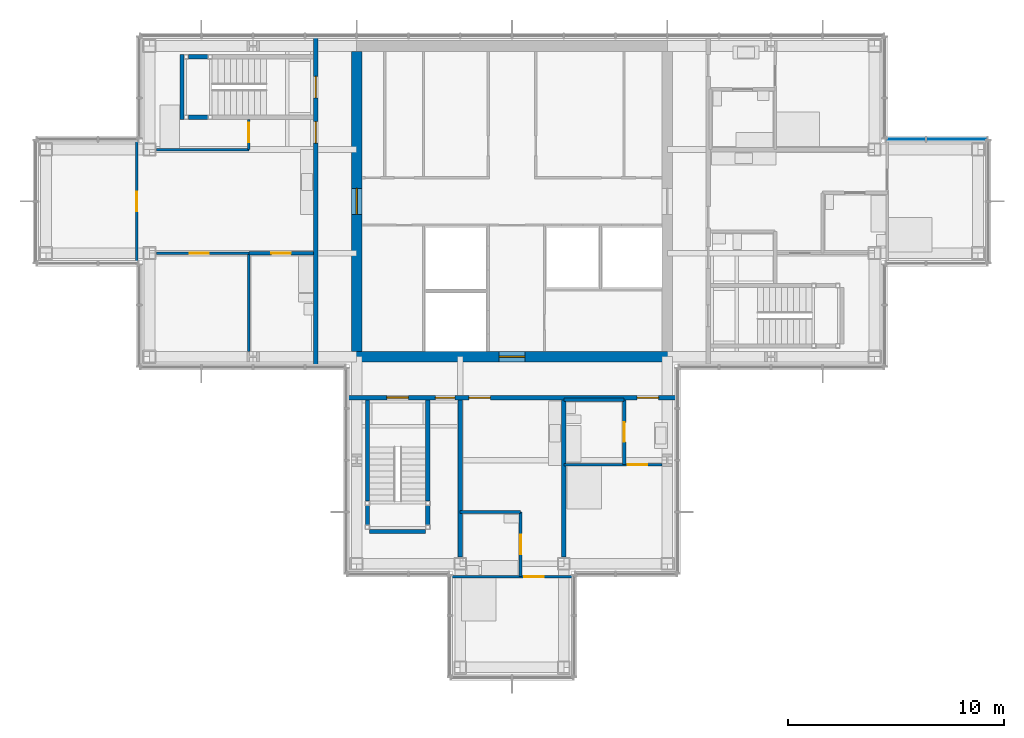
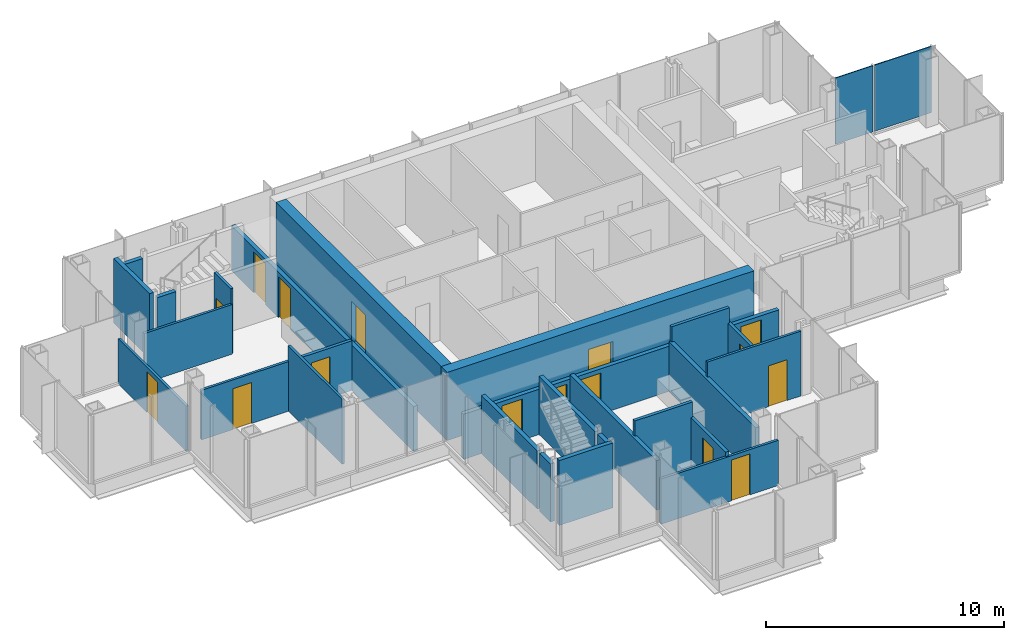
# One storey, part 10 of 15: 26 walls, 16 doors, 2 plates, 16 openings, 1 element without a shape of its own.
"""IFC4 building model written with IfcOpenShell, lengths in metres."""

from ifc_helpers import new_model, si_unit, direction, frame, frame_2d, origin, origin_2d, place, context, subcontext, project, spatial, rectangle, extrude, material, layer, layer_set, type_object, element, fill, aggregate, save


model = new_model("IFC4")

# Units and contexts
model_context = context("Model", 3, precision=1e-05, world=origin(), true_north=direction((0.0, 1.0)))
body_context = subcontext(model_context, "Body", "Model", "MODEL_VIEW")
ifc_project = project(units=[si_unit("LENGTHUNIT", "METRE"), si_unit("AREAUNIT", "SQUARE_METRE"), si_unit("VOLUMEUNIT", "CUBIC_METRE"), si_unit("PLANEANGLEUNIT", "RADIAN"), si_unit("MASSUNIT", "GRAM", prefix="KILO")], contexts=[model_context])

# Site, building, storey
site_placement = place(None, origin())
site = spatial("IfcSite", under=ifc_project, at=site_placement, CompositionType="ELEMENT")
building_placement = place(site_placement, origin())
building = spatial("IfcBuilding", under=site, at=building_placement, Name="Kvirike Care Tower", CompositionType="ELEMENT")
storey_placement = place(building_placement, frame((0.0, 0.0, 219.0)))
storey = spatial("IfcBuildingStorey", under=building, at=storey_placement, Name="L60", CompositionType="ELEMENT", Elevation=219.0)

# Curtain wall, plates
ifc_material_1 = material(Name="Anodised aluminium stick system", Category="aluminium")
curtain_wall_type = type_object("IfcCurtainWallType", Name="CW-D STICK CURTAIN WALL", PredefinedType="NOTDEFINED", material=ifc_material_1)
curtain_wall_placement = place(storey_placement, origin())
curtain_wall = element("IfcCurtainWall", 1, at=curtain_wall_placement, inside=storey, type_object=curtain_wall_type, Name="Curtain wall L60 face 5", PredefinedType="NOTDEFINED")
ifc_material_2 = material(Name="Tinted double glazed unit", Category="glass")
ifc_layer_1 = layer(ifc_material_2, 0.0439453125)
ifc_layer_set_1 = layer_set([ifc_layer_1], Name="TINTED VISION PANEL 44")
plate_type = type_object("IfcPlateType", Name="TINTED VISION PANEL 44", PredefinedType="CURTAIN_PANEL", material=ifc_layer_set_1)
plate_1_placement = place(storey_placement, frame((42.2236328125, 38.8798828125, 0.10009765625), z_axis=(0.0, 0.0, 1.0), x_axis=(-1.0, 0.0, 0.0)))
plate_1 = element("IfcPlate", 2, at=plate_1_placement, type_object=plate_type, Name="CW-D panel L60 face 5.1", PredefinedType="CURTAIN_PANEL", context=body_context, shape_type="SweptSolid", body=[
    extrude(rectangle(XDim=2.782470703125, YDim=0.0439453125, at=origin_2d()), origin(), (0.0, 0.0, 1.0), 3.39990234375),
])
plate_2_placement = place(storey_placement, frame((39.856201171875, 38.8798828125, 0.10009765625), z_axis=(0.0, 0.0, 1.0), x_axis=(-1.0, 0.0, 0.0)))
plate_2 = element("IfcPlate", 3, at=plate_2_placement, type_object=plate_type, Name="CW-D panel L60 face 5.2", PredefinedType="CURTAIN_PANEL", context=body_context, shape_type="SweptSolid", body=[
    extrude(rectangle(XDim=1.822509765625, YDim=0.0439453125, at=origin_2d()), origin(), (0.0, 0.0, 1.0), 3.39990234375),
])
aggregate(curtain_wall, [plate_1, plate_2])

# Wall, opening, door
ifc_material_3 = material(Name="Moisture-resistant board partition", Category="gypsum")
ifc_layer_2 = layer(ifc_material_3, 0.14990234375)
ifc_layer_set_2 = layer_set([ifc_layer_2], Name="BATHROOM WALL 150")
wall_type_1 = type_object("IfcWallType", Name="BATHROOM WALL 150", PredefinedType="PARTITIONING", material=ifc_layer_set_2)
wall_1_placement = place(storey_placement, frame((9.39990234375, 33.60009765625, 0.0), z_axis=(0.0, 0.0, 1.0), x_axis=(1.0, 0.0, 0.0)))
wall_1 = element("IfcWall", 4, at=wall_1_placement, inside=storey, type_object=wall_type_1, Name="Bathroom Wall 150 L60", PredefinedType="PARTITIONING", context=body_context, shape_type="SweptSolid", body=[
    extrude(rectangle(XDim=3.0, YDim=0.14990234375, at=frame_2d((1.5, 0.0))), origin(), (0.0, 0.0, 1.0), 2.550048828125),
])
opening_1_placement = place(wall_1_placement, frame((1.050048828125, 0.0, 0.0)))
opening_1 = element("IfcOpeningElement", 5, at=opening_1_placement, cuts=wall_1, Name="Opening 60-001", PredefinedType="OPENING", context=body_context, shape_type="SweptSolid", body=[
    extrude(rectangle(XDim=0.89990234375, YDim=2.10009765625, at=frame_2d((0.449951171875, 1.050048828125))), frame((0.0, 0.08544921875, 0.0), z_axis=(0.0, -1.0, 0.0), x_axis=(1.0, 0.0, 0.0)), (0.0, 0.0, 1.0), 0.1708984375),
])
ifc_material_4 = material(Name="Timber door set", Category="wood")
door_type_1 = type_object("IfcDoorType", Name="BATHROOM DOOR 900", OperationType="SINGLE_SWING_RIGHT", PredefinedType="DOOR", material=ifc_material_4)
door_1_placement = place(opening_1_placement, frame((0.89990234375, 0.0, 0.0), z_axis=(0.0, 0.0, 1.0), x_axis=(-1.0, 0.0, 0.0)))
door_1 = element("IfcDoor", 6, at=door_1_placement, inside=storey, type_object=door_type_1, Name="Bathroom door", OperationType="SINGLE_SWING_RIGHT", OverallHeight=2.10009765625, OverallWidth=0.89990234375, PredefinedType="DOOR", context=body_context, shape_type="SweptSolid", body=[
    extrude(rectangle(XDim=0.89990234375, YDim=2.10009765625, at=frame_2d((0.449951171875, 1.050048828125))), frame((0.0, 0.02197265625, 0.0), z_axis=(0.0, -1.0, 0.0), x_axis=(1.0, 0.0, 0.0)), (0.0, 0.0, 1.0), 0.0439453125),
])
fill(opening_1, door_1)

wall_2_placement = place(storey_placement, frame((22.0, 18.60009765625, 0.0), z_axis=(0.0, 0.0, 1.0), x_axis=(0.0, 1.0, 0.0)))
wall_2 = element("IfcWall", 7, at=wall_2_placement, inside=storey, type_object=wall_type_1, Name="Bathroom Wall 150 L60", PredefinedType="PARTITIONING", context=body_context, shape_type="SweptSolid", body=[
    extrude(rectangle(XDim=3.0, YDim=0.14990234375, at=frame_2d((1.5, 0.0))), origin(), (0.0, 0.0, 1.0), 2.550048828125),
])
opening_2_placement = place(wall_2_placement, frame((1.050048828125, 0.0, 0.0)))
opening_2 = element("IfcOpeningElement", 8, at=opening_2_placement, cuts=wall_2, Name="Opening 60-007", PredefinedType="OPENING", context=body_context, shape_type="SweptSolid", body=[
    extrude(rectangle(XDim=0.89990234375, YDim=2.10009765625, at=frame_2d((0.449951171875, 1.050048828125))), frame((0.0, 0.08544921875, 0.0), z_axis=(0.0, -1.0, 0.0), x_axis=(1.0, 0.0, 0.0)), (0.0, 0.0, 1.0), 0.1708984375),
])
door_2_placement = place(opening_2_placement, origin())
door_2 = element("IfcDoor", 9, at=door_2_placement, inside=storey, type_object=door_type_1, Name="Bathroom door", OperationType="SINGLE_SWING_RIGHT", OverallHeight=2.10009765625, OverallWidth=0.89990234375, PredefinedType="DOOR", context=body_context, shape_type="SweptSolid", body=[
    extrude(rectangle(XDim=0.89990234375, YDim=2.10009765625, at=frame_2d((0.449951171875, 1.050048828125))), frame((0.0, 0.02197265625, 0.0), z_axis=(0.0, -1.0, 0.0), x_axis=(1.0, 0.0, 0.0)), (0.0, 0.0, 1.0), 0.0439453125),
])
fill(opening_2, door_2)

# Wall
wall_3_placement = place(storey_placement, frame((19.199951171875, 21.60009765625, 0.0), z_axis=(0.0, 0.0, 1.0), x_axis=(1.0, 0.0, 0.0)))
element("IfcWall", 10, at=wall_3_placement, inside=storey, type_object=wall_type_1, Name="Bathroom Wall 150 L60", PredefinedType="PARTITIONING", context=body_context, shape_type="SweptSolid", body=[
    extrude(rectangle(XDim=2.800048828125, YDim=0.14990234375, at=frame_2d((1.39990234375, 0.0))), origin(), (0.0, 0.0, 1.0), 3.330078125),
])

# Wall, opening, door
wall_4_placement = place(storey_placement, frame((26.800048828125, 23.800048828125, 0.0), z_axis=(0.0, 0.0, 1.0), x_axis=(0.0, 1.0, 0.0)))
wall_4 = element("IfcWall", 11, at=wall_4_placement, inside=storey, type_object=wall_type_1, Name="Bathroom Wall 150 L60", PredefinedType="PARTITIONING", context=body_context, shape_type="SweptSolid", body=[
    extrude(rectangle(XDim=3.0, YDim=0.14990234375, at=frame_2d((1.5, 0.0))), origin(), (0.0, 0.0, 1.0), 2.550048828125),
])
opening_3_placement = place(wall_4_placement, frame((1.050048828125, 0.0, 0.0)))
opening_3 = element("IfcOpeningElement", 12, at=opening_3_placement, cuts=wall_4, Name="Opening 60-009", PredefinedType="OPENING", context=body_context, shape_type="SweptSolid", body=[
    extrude(rectangle(XDim=0.89990234375, YDim=2.10009765625, at=frame_2d((0.449951171875, 1.050048828125))), frame((0.0, 0.08544921875, 0.0), z_axis=(0.0, -1.0, 0.0), x_axis=(1.0, 0.0, 0.0)), (0.0, 0.0, 1.0), 0.1708984375),
])
door_3_placement = place(opening_3_placement, frame((0.89990234375, 0.0, 0.0), z_axis=(0.0, 0.0, 1.0), x_axis=(-1.0, 0.0, 0.0)))
door_3 = element("IfcDoor", 13, at=door_3_placement, inside=storey, type_object=door_type_1, Name="Bathroom door", OperationType="SINGLE_SWING_RIGHT", OverallHeight=2.10009765625, OverallWidth=0.89990234375, PredefinedType="DOOR", context=body_context, shape_type="SweptSolid", body=[
    extrude(rectangle(XDim=0.89990234375, YDim=2.10009765625, at=frame_2d((0.449951171875, 1.050048828125))), frame((0.0, 0.02197265625, 0.0), z_axis=(0.0, -1.0, 0.0), x_axis=(1.0, 0.0, 0.0)), (0.0, 0.0, 1.0), 0.0439453125),
])
fill(opening_3, door_3)

# Wall
wall_5_placement = place(storey_placement, frame((24.0, 26.800048828125, 0.0), z_axis=(0.0, 0.0, 1.0), x_axis=(1.0, 0.0, 0.0)))
element("IfcWall", 14, at=wall_5_placement, inside=storey, type_object=wall_type_1, Name="Bathroom Wall 150 L60", PredefinedType="PARTITIONING", context=body_context, shape_type="SweptSolid", body=[
    extrude(rectangle(XDim=2.800048828125, YDim=0.14990234375, at=frame_2d((1.39990234375, 0.0))), origin(), (0.0, 0.0, 1.0), 3.330078125),
])

# Wall, opening, door
ifc_material_5 = material(Name="Concrete C40/50", Category="concrete")
ifc_layer_3 = layer(ifc_material_5, 0.5)
ifc_layer_set_3 = layer_set([ifc_layer_3], Name="CORE WALL 500 C40-50")
wall_type_2 = type_object("IfcWallType", Name="CORE WALL 500 C40-50", PredefinedType="SHEAR", material=ifc_layer_set_3)
wall_6_placement = place(storey_placement, frame((14.14990234375, 28.800048828125, -0.169921875), z_axis=(0.0, 0.0, 1.0), x_axis=(1.0, 0.0, 0.0)))
wall_6 = element("IfcWall", 15, at=wall_6_placement, inside=storey, type_object=wall_type_2, Name="Core wall S L60", PredefinedType="SHEAR", context=body_context, shape_type="SweptSolid", body=[
    extrude(rectangle(XDim=14.900146484375, YDim=0.5, at=frame_2d((7.4501953125, 0.0))), origin(), (0.0, 0.0, 1.0), 3.5),
])
opening_4_placement = place(wall_6_placement, frame((6.85009765625, 0.0, 0.169921875)))
opening_4 = element("IfcOpeningElement", 16, at=opening_4_placement, cuts=wall_6, Name="Opening 60-037", PredefinedType="OPENING", context=body_context, shape_type="SweptSolid", body=[
    extrude(rectangle(XDim=1.199951171875, YDim=2.10009765625, at=frame_2d((0.60009765625, 1.050048828125))), frame((0.0, 0.260498046875, 0.0), z_axis=(0.0, -1.0, 0.0), x_axis=(1.0, 0.0, 0.0)), (0.0, 0.0, 1.0), 0.52099609375),
])
ifc_material_6 = material(Name="Timber door set", Category="wood")
door_type_2 = type_object("IfcDoorType", Name="CORE DOOR 1200", OperationType="SINGLE_SWING_LEFT", PredefinedType="DOOR", material=ifc_material_6)
door_4_placement = place(opening_4_placement, origin())
door_4 = element("IfcDoor", 17, at=door_4_placement, inside=storey, type_object=door_type_2, Name="Core door S L60", OperationType="SINGLE_SWING_LEFT", OverallHeight=2.10009765625, OverallWidth=1.199951171875, PredefinedType="DOOR", context=body_context, shape_type="SweptSolid", body=[
    extrude(rectangle(XDim=1.199951171875, YDim=2.10009765625, at=frame_2d((0.60009765625, 1.050048828125))), frame((0.0, 0.02685546875, 0.0), z_axis=(0.0, -1.0, 0.0), x_axis=(1.0, 0.0, 0.0)), (0.0, 0.0, 1.0), 0.053955078125),
])
fill(opening_4, door_4)

wall_7_placement = place(storey_placement, frame((14.39990234375, 42.949951171875, -0.169921875), z_axis=(0.0, 0.0, 1.0), x_axis=(0.0, -1.0, 0.0)))
wall_7 = element("IfcWall", 18, at=wall_7_placement, inside=storey, type_object=wall_type_2, Name="Core wall W L60", PredefinedType="SHEAR", context=body_context, shape_type="SweptSolid", body=[
    extrude(rectangle(XDim=13.89990234375, YDim=0.5, at=frame_2d((6.949951171875, 0.0))), origin(), (0.0, 0.0, 1.0), 3.5),
])
opening_5_placement = place(wall_7_placement, frame((6.35009765625, 0.0, 0.169921875)))
opening_5 = element("IfcOpeningElement", 19, at=opening_5_placement, cuts=wall_7, Name="Opening 60-038", PredefinedType="OPENING", context=body_context, shape_type="SweptSolid", body=[
    extrude(rectangle(XDim=1.199951171875, YDim=2.10009765625, at=frame_2d((0.60009765625, 1.050048828125))), frame((0.0, 0.260498046875, 0.0), z_axis=(0.0, -1.0, 0.0), x_axis=(1.0, 0.0, 0.0)), (0.0, 0.0, 1.0), 0.52099609375),
])
door_5_placement = place(opening_5_placement, origin())
door_5 = element("IfcDoor", 20, at=door_5_placement, inside=storey, type_object=door_type_2, Name="Core door W L60", OperationType="SINGLE_SWING_LEFT", OverallHeight=2.10009765625, OverallWidth=1.199951171875, PredefinedType="DOOR", context=body_context, shape_type="SweptSolid", body=[
    extrude(rectangle(XDim=1.199951171875, YDim=2.10009765625, at=frame_2d((0.60009765625, 1.050048828125))), frame((0.0, 0.02685546875, 0.0), z_axis=(0.0, -1.0, 0.0), x_axis=(1.0, 0.0, 0.0)), (0.0, 0.0, 1.0), 0.053955078125),
])
fill(opening_5, door_5)

# Wall, openings, doors
ifc_material_7 = material(Name="Plasterboard corridor wall", Category="gypsum")
ifc_layer_4 = layer(ifc_material_7, 0.199951171875)
ifc_layer_set_4 = layer_set([ifc_layer_4], Name="CORRIDOR WALL 200")
wall_type_3 = type_object("IfcWallType", Name="CORRIDOR WALL 200", PredefinedType="PARTITIONING", material=ifc_layer_set_4)
wall_8_placement = place(storey_placement, frame((12.5, 43.655029296875, 0.0), z_axis=(0.0, 0.0, 1.0), x_axis=(0.0, -1.0, 0.0)))
wall_8 = element("IfcWall", 21, at=wall_8_placement, inside=storey, type_object=wall_type_3, Name="Corridor Wall 200 L60", PredefinedType="PARTITIONING", context=body_context, shape_type="SweptSolid", body=[
    extrude(rectangle(XDim=15.31005859375, YDim=0.199951171875, at=frame_2d((7.655029296875, 0.0))), origin(), (0.0, 0.0, 1.0), 2.320068359375),
])
opening_6_placement = place(wall_8_placement, frame((1.85498046875, 0.0, 0.0)))
opening_6 = element("IfcOpeningElement", 22, at=opening_6_placement, cuts=wall_8, Name="Opening 60-005", PredefinedType="OPENING", context=body_context, shape_type="SweptSolid", body=[
    extrude(rectangle(XDim=1.0, YDim=2.10009765625, at=frame_2d((0.5, 1.050048828125))), frame((0.0, 0.110595703125, 0.0), z_axis=(0.0, -1.0, 0.0), x_axis=(1.0, 0.0, 0.0)), (0.0, 0.0, 1.0), 0.220947265625),
])
opening_7_placement = place(wall_8_placement, frame((3.955078125, 0.0, 0.0)))
opening_7 = element("IfcOpeningElement", 23, at=opening_7_placement, cuts=wall_8, Name="Opening 60-006", PredefinedType="OPENING", context=body_context, shape_type="SweptSolid", body=[
    extrude(rectangle(XDim=1.0, YDim=2.10009765625, at=frame_2d((0.5, 1.050048828125))), frame((0.0, 0.110595703125, 0.0), z_axis=(0.0, -1.0, 0.0), x_axis=(1.0, 0.0, 0.0)), (0.0, 0.0, 1.0), 0.220947265625),
])
ifc_material_8 = material(Name="Timber door set", Category="wood")
door_type_3 = type_object("IfcDoorType", Name="FLAT ENTRANCE DOOR 1000", OperationType="SINGLE_SWING_LEFT", PredefinedType="DOOR", material=ifc_material_8)
door_6_placement = place(opening_7_placement, frame((1.0, 0.0, 0.0), z_axis=(0.0, 0.0, 1.0), x_axis=(-1.0, 0.0, 0.0)))
door_6 = element("IfcDoor", 24, at=door_6_placement, inside=storey, type_object=door_type_3, Name="One-bedroom apartment entrance", OperationType="SINGLE_SWING_LEFT", OverallHeight=2.10009765625, OverallWidth=1.0, PredefinedType="DOOR", context=body_context, shape_type="SweptSolid", body=[
    extrude(rectangle(XDim=1.0, YDim=2.10009765625, at=frame_2d((0.5, 1.050048828125))), frame((0.0, 0.02685546875, 0.0), z_axis=(0.0, -1.0, 0.0), x_axis=(1.0, 0.0, 0.0)), (0.0, 0.0, 1.0), 0.053955078125),
])
fill(opening_7, door_6)
ifc_material_9 = material(Name="Timber door set", Category="wood")
door_type_4 = type_object("IfcDoorType", Name="STAIR DOOR 1000", OperationType="SINGLE_SWING_LEFT", PredefinedType="DOOR", material=ifc_material_9)
door_7_placement = place(opening_6_placement, frame((1.0, 0.0, 0.0), z_axis=(0.0, 0.0, 1.0), x_axis=(-1.0, 0.0, 0.0)))
door_7 = element("IfcDoor", 25, at=door_7_placement, inside=storey, type_object=door_type_4, Name="Stair 1 door", OperationType="SINGLE_SWING_LEFT", OverallHeight=2.10009765625, OverallWidth=1.0, PredefinedType="DOOR", context=body_context, shape_type="SweptSolid", body=[
    extrude(rectangle(XDim=1.0, YDim=2.10009765625, at=frame_2d((0.5, 1.050048828125))), frame((0.0, 0.031982421875, 0.0), z_axis=(0.0, -1.0, 0.0), x_axis=(1.0, 0.0, 0.0)), (0.0, 0.0, 1.0), 0.06396484375),
])
fill(opening_6, door_7)

wall_9_placement = place(storey_placement, frame((13.945068359375, 26.89990234375, 0.0), z_axis=(0.0, 0.0, 1.0), x_axis=(1.0, 0.0, 0.0)))
wall_9 = element("IfcWall", 26, at=wall_9_placement, inside=storey, type_object=wall_type_3, Name="Corridor Wall 200 L60", PredefinedType="PARTITIONING", context=body_context, shape_type="SweptSolid", body=[
    extrude(rectangle(XDim=15.309814453125, YDim=0.199951171875, at=frame_2d((7.65478515625, 0.0))), origin(), (0.0, 0.0, 1.0), 2.320068359375),
])
opening_8_placement = place(wall_9_placement, frame((1.85498046875, 0.0, 0.0)))
opening_8 = element("IfcOpeningElement", 27, at=opening_8_placement, cuts=wall_9, Name="Opening 60-011", PredefinedType="OPENING", context=body_context, shape_type="SweptSolid", body=[
    extrude(rectangle(XDim=1.0, YDim=2.10009765625, at=frame_2d((0.5, 1.050048828125))), frame((0.0, 0.110595703125, 0.0), z_axis=(0.0, -1.0, 0.0), x_axis=(1.0, 0.0, 0.0)), (0.0, 0.0, 1.0), 0.220947265625),
])
opening_9_placement = place(wall_9_placement, frame((4.10498046875, 0.0, 0.0)))
opening_9 = element("IfcOpeningElement", 28, at=opening_9_placement, cuts=wall_9, Name="Opening 60-012", PredefinedType="OPENING", context=body_context, shape_type="SweptSolid", body=[
    extrude(rectangle(XDim=0.89990234375, YDim=2.10009765625, at=frame_2d((0.449951171875, 1.050048828125))), frame((0.0, 0.110595703125, 0.0), z_axis=(0.0, -1.0, 0.0), x_axis=(1.0, 0.0, 0.0)), (0.0, 0.0, 1.0), 0.220947265625),
])
opening_10_placement = place(wall_9_placement, frame((5.655029296875, 0.0, 0.0)))
opening_10 = element("IfcOpeningElement", 29, at=opening_10_placement, cuts=wall_9, Name="Opening 60-013", PredefinedType="OPENING", context=body_context, shape_type="SweptSolid", body=[
    extrude(rectangle(XDim=1.0, YDim=2.10009765625, at=frame_2d((0.5, 1.050048828125))), frame((0.0, 0.110595703125, 0.0), z_axis=(0.0, -1.0, 0.0), x_axis=(1.0, 0.0, 0.0)), (0.0, 0.0, 1.0), 0.220947265625),
])
opening_11_placement = place(wall_9_placement, frame((13.455078125, 0.0, 0.0)))
opening_11 = element("IfcOpeningElement", 30, at=opening_11_placement, cuts=wall_9, Name="Opening 60-014", PredefinedType="OPENING", context=body_context, shape_type="SweptSolid", body=[
    extrude(rectangle(XDim=1.0, YDim=2.10009765625, at=frame_2d((0.5, 1.050048828125))), frame((0.0, 0.110595703125, 0.0), z_axis=(0.0, -1.0, 0.0), x_axis=(1.0, 0.0, 0.0)), (0.0, 0.0, 1.0), 0.220947265625),
])
door_8_placement = place(opening_10_placement, frame((1.0, 0.0, 0.0), z_axis=(0.0, 0.0, 1.0), x_axis=(-1.0, 0.0, 0.0)))
door_8 = element("IfcDoor", 31, at=door_8_placement, inside=storey, type_object=door_type_3, Name="Studio apartment entrance", OperationType="SINGLE_SWING_LEFT", OverallHeight=2.10009765625, OverallWidth=1.0, PredefinedType="DOOR", context=body_context, shape_type="SweptSolid", body=[
    extrude(rectangle(XDim=1.0, YDim=2.10009765625, at=frame_2d((0.5, 1.050048828125))), frame((0.0, 0.02685546875, 0.0), z_axis=(0.0, -1.0, 0.0), x_axis=(1.0, 0.0, 0.0)), (0.0, 0.0, 1.0), 0.053955078125),
])
fill(opening_10, door_8)
door_9_placement = place(opening_11_placement, frame((1.0, 0.0, 0.0), z_axis=(0.0, 0.0, 1.0), x_axis=(-1.0, 0.0, 0.0)))
door_9 = element("IfcDoor", 32, at=door_9_placement, inside=storey, type_object=door_type_3, Name="Studio apartment entrance", OperationType="SINGLE_SWING_RIGHT", OverallHeight=2.10009765625, OverallWidth=1.0, PredefinedType="DOOR", context=body_context, shape_type="SweptSolid", body=[
    extrude(rectangle(XDim=1.0, YDim=2.10009765625, at=frame_2d((0.5, 1.050048828125))), frame((0.0, 0.02685546875, 0.0), z_axis=(0.0, -1.0, 0.0), x_axis=(1.0, 0.0, 0.0)), (0.0, 0.0, 1.0), 0.053955078125),
])
fill(opening_11, door_9)
door_10_placement = place(opening_8_placement, frame((1.0, 0.0, 0.0), z_axis=(0.0, 0.0, 1.0), x_axis=(-1.0, 0.0, 0.0)))
door_10 = element("IfcDoor", 33, at=door_10_placement, inside=storey, type_object=door_type_4, Name="Stair 5 door", OperationType="SINGLE_SWING_LEFT", OverallHeight=2.10009765625, OverallWidth=1.0, PredefinedType="DOOR", context=body_context, shape_type="SweptSolid", body=[
    extrude(rectangle(XDim=1.0, YDim=2.10009765625, at=frame_2d((0.5, 1.050048828125))), frame((0.0, 0.031982421875, 0.0), z_axis=(0.0, -1.0, 0.0), x_axis=(1.0, 0.0, 0.0)), (0.0, 0.0, 1.0), 0.06396484375),
])
fill(opening_8, door_10)
ifc_material_10 = material(Name="Timber door set", Category="wood")
door_type_5 = type_object("IfcDoorType", Name="STORE DOOR 900", OperationType="SINGLE_SWING_LEFT", PredefinedType="DOOR", material=ifc_material_10)
door_11_placement = place(opening_9_placement, frame((0.89990234375, 0.0, 0.0), z_axis=(0.0, 0.0, 1.0), x_axis=(-1.0, 0.0, 0.0)))
door_11 = element("IfcDoor", 34, at=door_11_placement, inside=storey, type_object=door_type_5, Name="Housekeeping room door", OperationType="SINGLE_SWING_LEFT", OverallHeight=2.10009765625, OverallWidth=0.89990234375, PredefinedType="DOOR", context=body_context, shape_type="SweptSolid", body=[
    extrude(rectangle(XDim=0.89990234375, YDim=2.10009765625, at=frame_2d((0.449951171875, 1.050048828125))), frame((0.0, 0.02685546875, 0.0), z_axis=(0.0, -1.0, 0.0), x_axis=(1.0, 0.0, 0.0)), (0.0, 0.0, 1.0), 0.053955078125),
])
fill(opening_9, door_11)

# Wall, opening, door
ifc_material_11 = material(Name="Plasterboard partition", Category="gypsum")
ifc_layer_5 = layer(ifc_material_11, 0.1201171875)
ifc_layer_set_5 = layer_set([ifc_layer_5], Name="PARTITION 120")
wall_type_4 = type_object("IfcWallType", Name="PARTITION 120", PredefinedType="PARTITIONING", material=ifc_layer_set_5)
wall_10_placement = place(storey_placement, frame((9.39990234375, 39.800048828125, 0.0), z_axis=(0.0, 0.0, 1.0), x_axis=(0.0, -1.0, 0.0)))
wall_10 = element("IfcWall", 35, at=wall_10_placement, inside=storey, type_object=wall_type_4, Name="Partition 120 L60", PredefinedType="PARTITIONING", context=body_context, shape_type="SweptSolid", body=[
    extrude(rectangle(XDim=1.400146484375, YDim=0.1201171875, at=frame_2d((0.7001953125, 0.0))), origin(), (0.0, 0.0, 1.0), 3.330078125),
])
opening_12_placement = place(wall_10_placement, frame((0.14990234375, 0.0, 0.0)))
opening_12 = element("IfcOpeningElement", 36, at=opening_12_placement, cuts=wall_10, Name="Opening 60-002", PredefinedType="OPENING", context=body_context, shape_type="SweptSolid", body=[
    extrude(rectangle(XDim=0.89990234375, YDim=2.10009765625, at=frame_2d((0.449951171875, 1.050048828125))), frame((0.0, 0.070556640625, 0.0), z_axis=(0.0, -1.0, 0.0), x_axis=(1.0, 0.0, 0.0)), (0.0, 0.0, 1.0), 0.14111328125),
])
ifc_material_12 = material(Name="Timber door set", Category="wood")
door_type_6 = type_object("IfcDoorType", Name="INTERNAL DOOR 900", OperationType="SINGLE_SWING_LEFT", PredefinedType="DOOR", material=ifc_material_12)
door_12_placement = place(opening_12_placement, frame((0.89990234375, 0.0, 0.0), z_axis=(0.0, 0.0, 1.0), x_axis=(-1.0, 0.0, 0.0)))
door_12 = element("IfcDoor", 37, at=door_12_placement, inside=storey, type_object=door_type_6, Name="Apartment bedroom door", OperationType="SINGLE_SWING_LEFT", OverallHeight=2.10009765625, OverallWidth=0.89990234375, PredefinedType="DOOR", context=body_context, shape_type="SweptSolid", body=[
    extrude(rectangle(XDim=0.89990234375, YDim=2.10009765625, at=frame_2d((0.449951171875, 1.050048828125))), frame((0.0, 0.02197265625, 0.0), z_axis=(0.0, -1.0, 0.0), x_axis=(1.0, 0.0, 0.0)), (0.0, 0.0, 1.0), 0.0439453125),
])
fill(opening_12, door_12)

wall_11_placement = place(storey_placement, frame((4.199951171875, 38.85498046875, 0.0), z_axis=(0.0, 0.0, 1.0), x_axis=(0.0, -1.0, 0.0)))
wall_11 = element("IfcWall", 38, at=wall_11_placement, inside=storey, type_object=wall_type_4, Name="Partition 120 L60", PredefinedType="PARTITIONING", context=body_context, shape_type="SweptSolid", body=[
    extrude(rectangle(XDim=5.7099609375, YDim=0.1201171875, at=frame_2d((2.85498046875, 0.0))), origin(), (0.0, 0.0, 1.0), 2.320068359375),
])
opening_13_placement = place(wall_11_placement, frame((2.405029296875, 0.0, 0.0)))
opening_13 = element("IfcOpeningElement", 39, at=opening_13_placement, cuts=wall_11, Name="Opening 60-003", PredefinedType="OPENING", context=body_context, shape_type="SweptSolid", body=[
    extrude(rectangle(XDim=0.89990234375, YDim=2.10009765625, at=frame_2d((0.449951171875, 1.050048828125))), frame((0.0, 0.070556640625, 0.0), z_axis=(0.0, -1.0, 0.0), x_axis=(1.0, 0.0, 0.0)), (0.0, 0.0, 1.0), 0.14111328125),
])
door_13_placement = place(opening_13_placement, frame((0.89990234375, 0.0, 0.0), z_axis=(0.0, 0.0, 1.0), x_axis=(-1.0, 0.0, 0.0)))
door_13 = element("IfcDoor", 40, at=door_13_placement, inside=storey, type_object=door_type_6, Name="Apartment living and dining room door", OperationType="SINGLE_SWING_RIGHT", OverallHeight=2.10009765625, OverallWidth=0.89990234375, PredefinedType="DOOR", context=body_context, shape_type="SweptSolid", body=[
    extrude(rectangle(XDim=0.89990234375, YDim=2.10009765625, at=frame_2d((0.449951171875, 1.050048828125))), frame((0.0, 0.02197265625, 0.0), z_axis=(0.0, -1.0, 0.0), x_axis=(1.0, 0.0, 0.0)), (0.0, 0.0, 1.0), 0.0439453125),
])
fill(opening_13, door_13)

# Walls
wall_12_placement = place(storey_placement, frame((9.39990234375, 33.60009765625, 0.0), z_axis=(0.0, 0.0, 1.0), x_axis=(0.0, -1.0, 0.0)))
element("IfcWall", 41, at=wall_12_placement, inside=storey, type_object=wall_type_4, Name="Partition 120 L60", PredefinedType="PARTITIONING", context=body_context, shape_type="SweptSolid", body=[
    extrude(rectangle(XDim=4.552978515625, YDim=0.1201171875, at=frame_2d((2.2763671875, 0.0))), origin(), (0.0, 0.0, 1.0), 3.330078125),
])
wall_13_placement = place(storey_placement, frame((5.1201171875, 38.39990234375, 0.0), z_axis=(0.0, 0.0, 1.0), x_axis=(1.0, 0.0, 0.0)))
element("IfcWall", 42, at=wall_13_placement, inside=storey, type_object=wall_type_4, Name="Partition 120 L60", PredefinedType="PARTITIONING", context=body_context, shape_type="SweptSolid", body=[
    extrude(rectangle(XDim=4.27978515625, YDim=0.1201171875, at=frame_2d((2.139892578125, 0.0))), origin(), (0.0, 0.0, 1.0), 2.550048828125),
])

# Wall, opening, door
wall_14_placement = place(storey_placement, frame((5.1201171875, 33.60009765625, 0.0), z_axis=(0.0, 0.0, 1.0), x_axis=(1.0, 0.0, 0.0)))
wall_14 = element("IfcWall", 43, at=wall_14_placement, inside=storey, type_object=wall_type_4, Name="Partition 120 L60", PredefinedType="PARTITIONING", context=body_context, shape_type="SweptSolid", body=[
    extrude(rectangle(XDim=4.27978515625, YDim=0.1201171875, at=frame_2d((2.139892578125, 0.0))), origin(), (0.0, 0.0, 1.0), 2.550048828125),
])
opening_14_placement = place(wall_14_placement, frame((1.530029296875, 0.0, 0.0)))
opening_14 = element("IfcOpeningElement", 44, at=opening_14_placement, cuts=wall_14, Name="Opening 60-004", PredefinedType="OPENING", context=body_context, shape_type="SweptSolid", body=[
    extrude(rectangle(XDim=0.89990234375, YDim=2.10009765625, at=frame_2d((0.449951171875, 1.050048828125))), frame((0.0, 0.070556640625, 0.0), z_axis=(0.0, -1.0, 0.0), x_axis=(1.0, 0.0, 0.0)), (0.0, 0.0, 1.0), 0.14111328125),
])
door_14_placement = place(opening_14_placement, frame((0.89990234375, 0.0, 0.0), z_axis=(0.0, 0.0, 1.0), x_axis=(-1.0, 0.0, 0.0)))
door_14 = element("IfcDoor", 45, at=door_14_placement, inside=storey, type_object=door_type_6, Name="Connecting door", OperationType="SINGLE_SWING_RIGHT", OverallHeight=2.10009765625, OverallWidth=0.89990234375, PredefinedType="DOOR", context=body_context, shape_type="SweptSolid", body=[
    extrude(rectangle(XDim=0.89990234375, YDim=2.10009765625, at=frame_2d((0.449951171875, 1.050048828125))), frame((0.0, 0.02197265625, 0.0), z_axis=(0.0, -1.0, 0.0), x_axis=(1.0, 0.0, 0.0)), (0.0, 0.0, 1.0), 0.0439453125),
])
fill(opening_14, door_14)

wall_15_placement = place(storey_placement, frame((18.7451171875, 18.60009765625, 0.0), z_axis=(0.0, 0.0, 1.0), x_axis=(1.0, 0.0, 0.0)))
wall_15 = element("IfcWall", 46, at=wall_15_placement, inside=storey, type_object=wall_type_4, Name="Partition 120 L60", PredefinedType="PARTITIONING", context=body_context, shape_type="SweptSolid", body=[
    extrude(rectangle(XDim=5.7099609375, YDim=0.1201171875, at=frame_2d((2.85498046875, 0.0))), origin(), (0.0, 0.0, 1.0), 2.320068359375),
])
opening_15_placement = place(wall_15_placement, frame((3.429931640625, 0.0, 0.0)))
opening_15 = element("IfcOpeningElement", 47, at=opening_15_placement, cuts=wall_15, Name="Opening 60-008", PredefinedType="OPENING", context=body_context, shape_type="SweptSolid", body=[
    extrude(rectangle(XDim=0.89990234375, YDim=2.10009765625, at=frame_2d((0.449951171875, 1.050048828125))), frame((0.0, 0.070556640625, 0.0), z_axis=(0.0, -1.0, 0.0), x_axis=(1.0, 0.0, 0.0)), (0.0, 0.0, 1.0), 0.14111328125),
])
door_15_placement = place(opening_15_placement, frame((0.89990234375, 0.0, 0.0), z_axis=(0.0, 0.0, 1.0), x_axis=(-1.0, 0.0, 0.0)))
door_15 = element("IfcDoor", 48, at=door_15_placement, inside=storey, type_object=door_type_6, Name="Studio apartment living room door", OperationType="SINGLE_SWING_RIGHT", OverallHeight=2.10009765625, OverallWidth=0.89990234375, PredefinedType="DOOR", context=body_context, shape_type="SweptSolid", body=[
    extrude(rectangle(XDim=0.89990234375, YDim=2.10009765625, at=frame_2d((0.449951171875, 1.050048828125))), frame((0.0, 0.02197265625, 0.0), z_axis=(0.0, -1.0, 0.0), x_axis=(1.0, 0.0, 0.0)), (0.0, 0.0, 1.0), 0.0439453125),
])
fill(opening_15, door_15)

wall_16_placement = place(storey_placement, frame((24.0, 23.800048828125, 0.0), z_axis=(0.0, 0.0, 1.0), x_axis=(1.0, 0.0, 0.0)))
wall_16 = element("IfcWall", 49, at=wall_16_placement, inside=storey, type_object=wall_type_4, Name="Partition 120 L60", PredefinedType="PARTITIONING", context=body_context, shape_type="SweptSolid", body=[
    extrude(rectangle(XDim=4.552978515625, YDim=0.1201171875, at=frame_2d((2.2763671875, 0.0))), origin(), (0.0, 0.0, 1.0), 3.330078125),
])
opening_16_placement = place(wall_16_placement, frame((2.97509765625, 0.0, 0.0)))
opening_16 = element("IfcOpeningElement", 50, at=opening_16_placement, cuts=wall_16, Name="Opening 60-010", PredefinedType="OPENING", context=body_context, shape_type="SweptSolid", body=[
    extrude(rectangle(XDim=0.89990234375, YDim=2.10009765625, at=frame_2d((0.449951171875, 1.050048828125))), frame((0.0, 0.070556640625, 0.0), z_axis=(0.0, -1.0, 0.0), x_axis=(1.0, 0.0, 0.0)), (0.0, 0.0, 1.0), 0.14111328125),
])
door_16_placement = place(opening_16_placement, origin())
door_16 = element("IfcDoor", 51, at=door_16_placement, inside=storey, type_object=door_type_6, Name="Studio apartment living room door", OperationType="SINGLE_SWING_RIGHT", OverallHeight=2.10009765625, OverallWidth=0.89990234375, PredefinedType="DOOR", context=body_context, shape_type="SweptSolid", body=[
    extrude(rectangle(XDim=0.89990234375, YDim=2.10009765625, at=frame_2d((0.449951171875, 1.050048828125))), frame((0.0, 0.02197265625, 0.0), z_axis=(0.0, -1.0, 0.0), x_axis=(1.0, 0.0, 0.0)), (0.0, 0.0, 1.0), 0.0439453125),
])
fill(opening_16, door_16)

# Walls
ifc_material_13 = material(Name="Plasterboard party wall", Category="gypsum")
ifc_layer_6 = layer(ifc_material_13, 0.199951171875)
ifc_layer_set_6 = layer_set([ifc_layer_6], Name="PARTY WALL 200")
wall_type_5 = type_object("IfcWallType", Name="PARTY WALL 200", PredefinedType="PARTITIONING", material=ifc_layer_set_6)
for number, where, z_axis, x_axis, name in (
    (52, (19.199951171875, 19.52001953125, 0.0), (0.0, 0.0, 1.0), (0.0, 1.0, 0.0), "Party Wall 200 L60"),
    (53, (24.0, 19.52001953125, 0.0), (0.0, 0.0, 1.0), (0.0, 1.0, 0.0), "Party Wall 200 L60"),
):
    element("IfcWall", number, at=place(storey_placement, frame(where, z_axis=z_axis, x_axis=x_axis)), inside=storey, type_object=wall_type_5, Name=name, PredefinedType="PARTITIONING", context=body_context, shape_type="SweptSolid", body=[
        extrude(rectangle(XDim=7.280029296875, YDim=0.199951171875, at=frame_2d((3.64013671875, 0.0))), origin(), (0.0, 0.0, 1.0), 2.550048828125),
    ])
ifc_material_14 = material(Name="Concrete C40/50", Category="concrete")
ifc_layer_7 = layer(ifc_material_14, 0.199951171875)
ifc_layer_set_7 = layer_set([ifc_layer_7], Name="STAIR WALL 200")
wall_type_6 = type_object("IfcWallType", Name="STAIR WALL 200", PredefinedType="SOLIDWALL", material=ifc_layer_set_7)
for number, where, z_axis, x_axis, name in (
    (54, (6.60009765625, 42.699951171875, 0.0), (0.0, 0.0, 1.0), (1.0, 0.0, 0.0), "Stair Wall 200 L60"),
    (55, (6.60009765625, 39.89990234375, 0.0), (0.0, 0.0, 1.0), (1.0, 0.0, 0.0), "Stair Wall 200 L60"),
):
    element("IfcWall", number, at=place(storey_placement, frame(where, z_axis=z_axis, x_axis=x_axis)), inside=storey, type_object=wall_type_6, Name=name, PredefinedType="SOLIDWALL", context=body_context, shape_type="SweptSolid", body=[
        extrude(rectangle(XDim=0.89990234375, YDim=0.199951171875, at=frame_2d((0.449951171875, 0.0))), origin(), (0.0, 0.0, 1.0), 2.989990234375),
    ])
wall_17_placement = place(storey_placement, frame((6.300048828125, 42.800048828125, 0.0), z_axis=(0.0, 0.0, 1.0), x_axis=(0.0, -1.0, 0.0)))
element("IfcWall", 56, at=wall_17_placement, inside=storey, type_object=wall_type_6, Name="Stair Wall 200 L60", PredefinedType="SOLIDWALL", context=body_context, shape_type="SweptSolid", body=[
    extrude(rectangle(XDim=3.0, YDim=0.199951171875, at=frame_2d((1.5, 0.0))), origin(), (0.0, 0.0, 1.0), 3.330078125),
])
wall_18_placement = place(storey_placement, frame((14.89990234375, 21.0, 0.0), z_axis=(0.0, 0.0, 1.0), x_axis=(0.0, 1.0, 0.0)))
element("IfcWall", 57, at=wall_18_placement, inside=storey, type_object=wall_type_6, Name="Stair Wall 200 L60", PredefinedType="SOLIDWALL", context=body_context, shape_type="SweptSolid", body=[
    extrude(rectangle(XDim=0.89990234375, YDim=0.199951171875, at=frame_2d((0.449951171875, 0.0))), origin(), (0.0, 0.0, 1.0), 2.989990234375),
])
wall_19_placement = place(storey_placement, frame((14.89990234375, 22.10009765625, 0.0), z_axis=(0.0, 0.0, 1.0), x_axis=(0.0, 1.0, 0.0)))
element("IfcWall", 58, at=wall_19_placement, inside=storey, type_object=wall_type_6, Name="Stair Wall 200 L60", PredefinedType="SOLIDWALL", context=body_context, shape_type="SweptSolid", body=[
    extrude(rectangle(XDim=4.699951171875, YDim=0.199951171875, at=frame_2d((2.35009765625, 0.0))), origin(), (0.0, 0.0, 1.0), 2.989990234375),
])
wall_20_placement = place(storey_placement, frame((17.699951171875, 21.0, 0.0), z_axis=(0.0, 0.0, 1.0), x_axis=(0.0, 1.0, 0.0)))
element("IfcWall", 59, at=wall_20_placement, inside=storey, type_object=wall_type_6, Name="Stair Wall 200 L60", PredefinedType="SOLIDWALL", context=body_context, shape_type="SweptSolid", body=[
    extrude(rectangle(XDim=0.89990234375, YDim=0.199951171875, at=frame_2d((0.449951171875, 0.0))), origin(), (0.0, 0.0, 1.0), 2.989990234375),
])
wall_21_placement = place(storey_placement, frame((17.699951171875, 22.10009765625, 0.0), z_axis=(0.0, 0.0, 1.0), x_axis=(0.0, 1.0, 0.0)))
element("IfcWall", 60, at=wall_21_placement, inside=storey, type_object=wall_type_6, Name="Stair Wall 200 L60", PredefinedType="SOLIDWALL", context=body_context, shape_type="SweptSolid", body=[
    extrude(rectangle(XDim=4.699951171875, YDim=0.199951171875, at=frame_2d((2.35009765625, 0.0))), origin(), (0.0, 0.0, 1.0), 2.989990234375),
])
wall_22_placement = place(storey_placement, frame((15.0, 20.699951171875, 0.0), z_axis=(0.0, 0.0, 1.0), x_axis=(1.0, 0.0, 0.0)))
element("IfcWall", 61, at=wall_22_placement, inside=storey, type_object=wall_type_6, Name="Stair Wall 200 L60", PredefinedType="SOLIDWALL", context=body_context, shape_type="SweptSolid", body=[
    extrude(rectangle(XDim=2.60009765625, YDim=0.199951171875, at=frame_2d((1.300048828125, 0.0))), origin(), (0.0, 0.0, 1.0), 3.330078125),
])

save(model, "model.ifc")
